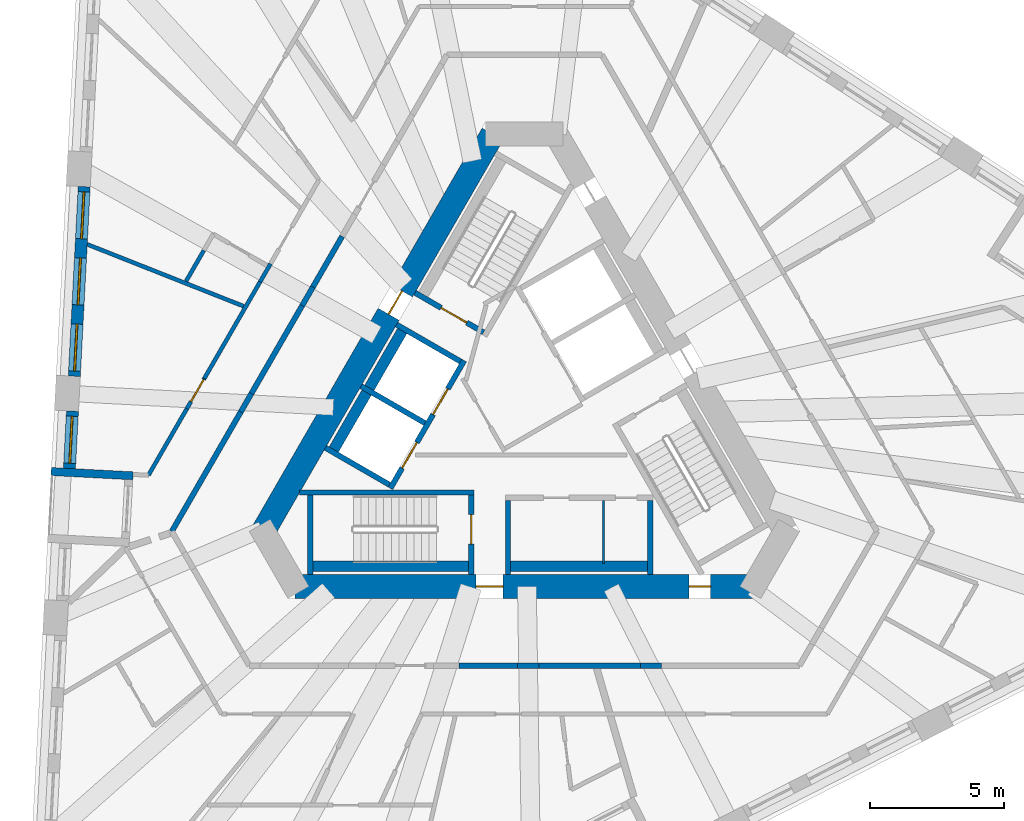
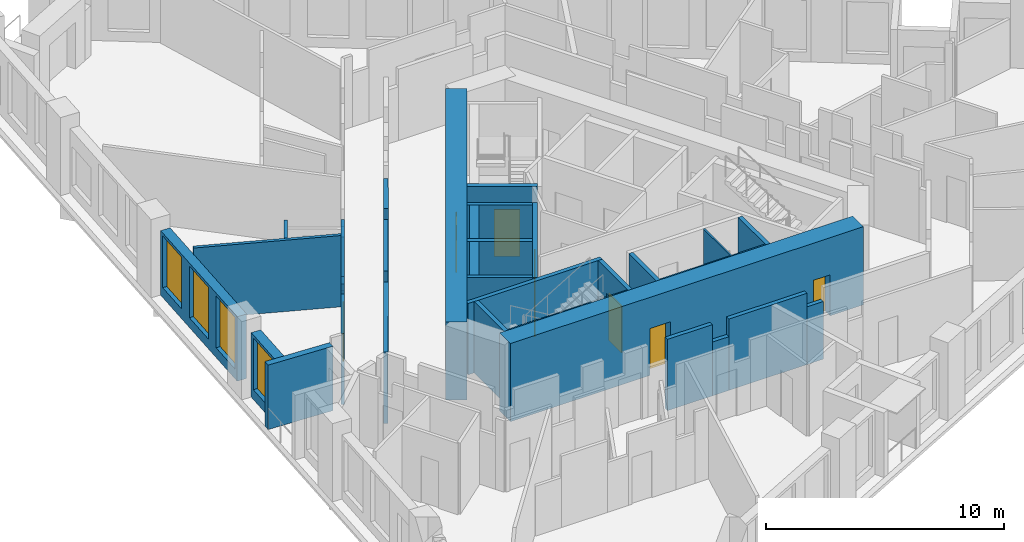
# One storey, part 4 of 13: 34 walls, 8 doors, 4 windows, 12 openings.
"""IFC4 building model written with IfcOpenShell, lengths in metres."""

from ifc_helpers import new_model, si_unit, direction, frame, frame_2d, origin, place, context, subcontext, project, spatial, polyline, rectangle, outline, extrude, material, layer, layer_set, type_object, element, fill, save


model = new_model("IFC4")

# Units and contexts
model_context = context("Model", 3, precision=1e-05, world=origin(), true_north=direction((0.0, 1.0)))
body_context = subcontext(model_context, "Body", "Model", "MODEL_VIEW")
ifc_project = project(units=[si_unit("LENGTHUNIT", "METRE"), si_unit("AREAUNIT", "SQUARE_METRE"), si_unit("VOLUMEUNIT", "CUBIC_METRE"), si_unit("PLANEANGLEUNIT", "RADIAN"), si_unit("MASSUNIT", "GRAM", prefix="KILO")], contexts=[model_context])

# Site, building, storey
site_placement = place(None, origin())
site = spatial("IfcSite", under=ifc_project, at=site_placement, CompositionType="ELEMENT")
building_placement = place(site_placement, origin())
building = spatial("IfcBuilding", under=site, at=building_placement, Name="Tramontana Tower", CompositionType="ELEMENT")
storey_placement = place(building_placement, frame((0.0, 0.0, 145.60009765625)))
storey = spatial("IfcBuildingStorey", under=building, at=storey_placement, Name="L33", CompositionType="ELEMENT", Elevation=145.60009765625)

# Wall, opening, door
ifc_material_1 = material(Name="Concrete 70 MPa", Category="concrete")
ifc_layer_1 = layer(ifc_material_1, 0.89990234375)
ifc_layer_set_1 = layer_set([ifc_layer_1], Name="Core wall 900 70 MPa")
wall_type_1 = type_object("IfcWallType", Name="Core wall 900 70 MPa", PredefinedType="SHEAR", material=ifc_layer_set_1)
wall_1_placement = place(storey_placement, frame((-1.18359375, 10.550048828125, 0.0), z_axis=(0.0, 0.0, 1.0), x_axis=(-0.500004814304, -0.866022624227, 0.0)))
wall_1 = element("IfcWall", 1, at=wall_1_placement, inside=storey, type_object=wall_type_1, Name="Core wall C1 L33", PredefinedType="SHEAR", context=body_context, shape_type="SweptSolid", body=[
    extrude(rectangle(XDim=17.089599609375, YDim=0.89990234375, at=frame_2d((8.544921875, 0.0))), origin(), (0.0, 0.0, 1.0), 4.0),
])
opening_1_placement = place(wall_1_placement, frame((6.749755859375, 0.0, 0.0)))
opening_1 = element("IfcOpeningElement", 2, at=opening_1_placement, cuts=wall_1, Name="Opening RG1", PredefinedType="OPENING", context=body_context, shape_type="SweptSolid", body=[
    extrude(rectangle(XDim=1.0, YDim=2.39990234375, at=frame_2d((0.5, 1.199951171875))), frame((0.0, 0.4599609375, 0.0), z_axis=(0.0, -1.0, 0.0), x_axis=(1.0, 0.0, 0.0)), (0.0, 0.0, 1.0), 0.919921875),
])
ifc_material_2 = material(Name="Painted steel", Category="steel")
door_type_1 = type_object("IfcDoorType", Name="RING DOOR 1000", OperationType="SINGLE_SWING_LEFT", PredefinedType="DOOR", material=ifc_material_2)
door_1_placement = place(opening_1_placement, origin())
door_1 = element("IfcDoor", 3, at=door_1_placement, inside=storey, type_object=door_type_1, Name="Door RG1", OperationType="SINGLE_SWING_RIGHT", OverallHeight=2.39990234375, OverallWidth=1.0, PredefinedType="DOOR", context=body_context, shape_type="SweptSolid", body=[
    extrude(rectangle(XDim=1.0, YDim=2.39990234375, at=frame_2d((0.5, 1.199951171875))), frame((0.0, 0.02490234375, 0.0), z_axis=(0.0, -1.0, 0.0), x_axis=(1.0, 0.0, 0.0)), (0.0, 0.0, 1.0), 0.050048828125),
])
fill(opening_1, door_1)

# Wall, openings, doors
wall_2_placement = place(storey_placement, frame((-8.544921875, -6.300048828125, 0.0), z_axis=(0.0, 0.0, 1.0), x_axis=(1.0, 0.0, 0.0)))
wall_2 = element("IfcWall", 4, at=wall_2_placement, inside=storey, type_object=wall_type_1, Name="Core wall C3 L33", PredefinedType="SHEAR", context=body_context, shape_type="SweptSolid", body=[
    extrude(rectangle(XDim=17.08984375, YDim=0.89990234375, at=frame_2d((8.544921875, 0.0))), origin(), (0.0, 0.0, 1.0), 4.0),
])
opening_2_placement = place(wall_2_placement, frame((6.749755859375, 0.0, 0.0)))
opening_2 = element("IfcOpeningElement", 5, at=opening_2_placement, cuts=wall_2, Name="Opening RG2", PredefinedType="OPENING", context=body_context, shape_type="SweptSolid", body=[
    extrude(rectangle(XDim=1.0, YDim=2.39990234375, at=frame_2d((0.5, 1.199951171875))), frame((0.0, 0.4599609375, 0.0), z_axis=(0.0, -1.0, 0.0), x_axis=(1.0, 0.0, 0.0)), (0.0, 0.0, 1.0), 0.919921875),
])
opening_3_placement = place(wall_2_placement, frame((14.678466796875, 0.0, 0.0)))
opening_3 = element("IfcOpeningElement", 6, at=opening_3_placement, cuts=wall_2, Name="Opening PD2", PredefinedType="OPENING", context=body_context, shape_type="SweptSolid", body=[
    extrude(rectangle(XDim=0.800048828125, YDim=2.10009765625, at=frame_2d((0.39990234375, 1.050048828125))), frame((0.0, 0.4599609375, 0.0), z_axis=(0.0, -1.0, 0.0), x_axis=(1.0, 0.0, 0.0)), (0.0, 0.0, 1.0), 0.919921875),
])
ifc_material_3 = material(Name="Painted steel", Category="steel")
door_type_2 = type_object("IfcDoorType", Name="CUPBOARD DOOR 800", OperationType="SINGLE_SWING_LEFT", PredefinedType="DOOR", material=ifc_material_3)
door_2_placement = place(opening_3_placement, origin())
door_2 = element("IfcDoor", 7, at=door_2_placement, inside=storey, type_object=door_type_2, Name="Door PD2", OperationType="SINGLE_SWING_LEFT", OverallHeight=2.10009765625, OverallWidth=0.800048828125, PredefinedType="DOOR", context=body_context, shape_type="SweptSolid", body=[
    extrude(rectangle(XDim=0.800048828125, YDim=2.10009765625, at=frame_2d((0.39990234375, 1.050048828125))), frame((0.0, 0.02490234375, 0.0), z_axis=(0.0, -1.0, 0.0), x_axis=(1.0, 0.0, 0.0)), (0.0, 0.0, 1.0), 0.050048828125),
])
fill(opening_3, door_2)
door_3_placement = place(opening_2_placement, origin())
door_3 = element("IfcDoor", 8, at=door_3_placement, inside=storey, type_object=door_type_1, Name="Door RG2", OperationType="SINGLE_SWING_LEFT", OverallHeight=2.39990234375, OverallWidth=1.0, PredefinedType="DOOR", context=body_context, shape_type="SweptSolid", body=[
    extrude(rectangle(XDim=1.0, YDim=2.39990234375, at=frame_2d((0.5, 1.199951171875))), frame((0.0, 0.02490234375, 0.0), z_axis=(0.0, -1.0, 0.0), x_axis=(1.0, 0.0, 0.0)), (0.0, 0.0, 1.0), 0.050048828125),
])
fill(opening_2, door_3)

# Walls
ifc_material_4 = material(Name="Blockwork", Category="masonry")
ifc_layer_2 = layer(ifc_material_4, 0.199951171875)
ifc_layer_set_2 = layer_set([ifc_layer_2], Name="ENTRY WALL 200")
wall_type_2 = type_object("IfcWallType", Name="ENTRY WALL 200", PredefinedType="SOLIDWALL", material=ifc_layer_set_2)
wall_3_placement = place(storey_placement, frame((5.10595703125, -9.25, 0.0), z_axis=(0.0, 0.0, 1.0), x_axis=(-1.0, 0.0, 0.0)))
element("IfcWall", 9, at=wall_3_placement, inside=storey, type_object=wall_type_2, Name="Wall v31-ew2-1", PredefinedType="SOLIDWALL", context=body_context, shape_type="SweptSolid", body=[
    extrude(rectangle(XDim=0.78564453125, YDim=0.199951171875, at=frame_2d((0.392822265625, 0.0))), origin(), (0.0, 0.0, 1.0), 2.949951171875),
])
wall_4_placement = place(storey_placement, frame((4.3203125, -9.25, 0.0), z_axis=(0.0, 0.0, 1.0), x_axis=(-1.0, 0.0, 0.0)))
element("IfcWall", 10, at=wall_4_placement, inside=storey, type_object=wall_type_2, Name="Wall v31-ew2-2", PredefinedType="SOLIDWALL", context=body_context, shape_type="SweptSolid", body=[
    extrude(rectangle(XDim=3.783203125, YDim=0.199951171875, at=frame_2d((1.8916015625, 0.0))), origin(), (0.0, 0.0, 1.0), 3.64990234375),
])
wall_5_placement = place(storey_placement, frame((0.537109375, -9.25, 0.0), z_axis=(0.0, 0.0, 1.0), x_axis=(-1.0, 0.0, 0.0)))
element("IfcWall", 11, at=wall_5_placement, inside=storey, type_object=wall_type_2, Name="Wall v31-ew2-3", PredefinedType="SOLIDWALL", context=body_context, shape_type="SweptSolid", body=[
    extrude(rectangle(XDim=0.800048828125, YDim=0.199951171875, at=frame_2d((0.39990234375, 0.0))), origin(), (0.0, 0.0, 1.0), 2.75),
])
wall_6_placement = place(storey_placement, frame((-0.262939453125, -9.25, 0.0), z_axis=(0.0, 0.0, 1.0), x_axis=(-1.0, 0.0, 0.0)))
element("IfcWall", 12, at=wall_6_placement, inside=storey, type_object=wall_type_2, Name="Wall v31-ew2-4", PredefinedType="SOLIDWALL", context=body_context, shape_type="SweptSolid", body=[
    extrude(rectangle(XDim=2.17822265625, YDim=0.199951171875, at=frame_2d((1.089111328125, 0.0))), origin(), (0.0, 0.0, 1.0), 3.64990234375),
])
wall_7_placement = place(storey_placement, frame((-13.134765625, -4.25, 0.0), z_axis=(0.0, 0.0, 1.0), x_axis=(0.50000466804, 0.866022708674, 0.0)))
element("IfcWall", 13, at=wall_7_placement, inside=storey, type_object=wall_type_2, Name="Wall v31-ew4-0", PredefinedType="SOLIDWALL", context=body_context, shape_type="SweptSolid", body=[
    extrude(rectangle(XDim=5.14208984375, YDim=0.199951171875, at=frame_2d((2.571044921875, 0.0))), origin(), (0.0, 0.0, 1.0), 3.64990234375),
])
wall_8_placement = place(storey_placement, frame((-10.563720703125, 0.203125, 0.0), z_axis=(0.0, 0.0, 1.0), x_axis=(0.499982474044, 0.866035522163, 0.0)))
element("IfcWall", 14, at=wall_8_placement, inside=storey, type_object=wall_type_2, Name="Wall v31-ew4-1", PredefinedType="SOLIDWALL", context=body_context, shape_type="SweptSolid", body=[
    extrude(rectangle(XDim=0.78564453125, YDim=0.199951171875, at=frame_2d((0.392822265625, 0.0))), origin(), (0.0, 0.0, 1.0), 2.949951171875),
])
wall_9_placement = place(storey_placement, frame((-10.1708984375, 0.883544921875, 0.0), z_axis=(0.0, 0.0, 1.0), x_axis=(0.499998034377, 0.866026538634, 0.0)))
element("IfcWall", 15, at=wall_9_placement, inside=storey, type_object=wall_type_2, Name="Wall v31-ew4-2", PredefinedType="SOLIDWALL", context=body_context, shape_type="SweptSolid", body=[
    extrude(rectangle(XDim=3.783203125, YDim=0.199951171875, at=frame_2d((1.8916015625, 0.0))), origin(), (0.0, 0.0, 1.0), 3.64990234375),
])
wall_10_placement = place(storey_placement, frame((-8.279296875, 4.159912109375, 0.0), z_axis=(0.0, 0.0, 1.0), x_axis=(0.500109828528, 0.865961984968, 0.0)))
element("IfcWall", 16, at=wall_10_placement, inside=storey, type_object=wall_type_2, Name="Wall v31-ew4-3", PredefinedType="SOLIDWALL", context=body_context, shape_type="SweptSolid", body=[
    extrude(rectangle(XDim=0.800048828125, YDim=0.199951171875, at=frame_2d((0.39990234375, 0.0))), origin(), (0.0, 0.0, 1.0), 2.75),
])
wall_11_placement = place(storey_placement, frame((-7.879150390625, 4.852783203125, 0.0), z_axis=(0.0, 0.0, 1.0), x_axis=(0.499948868167, 0.866054922749, 0.0)))
element("IfcWall", 17, at=wall_11_placement, inside=storey, type_object=wall_type_2, Name="Wall v31-ew4-4", PredefinedType="SOLIDWALL", context=body_context, shape_type="SweptSolid", body=[
    extrude(rectangle(XDim=2.177978515625, YDim=0.199951171875, at=frame_2d((1.0888671875, 0.0))), origin(), (0.0, 0.0, 1.0), 3.64990234375),
])

# Wall, openings, windows
ifc_material_5 = material(Name="Precast concrete 60 MPa", Category="concrete")
ifc_layer_3 = layer(ifc_material_5, 0.449951171875)
ifc_layer_set_3 = layer_set([ifc_layer_3], Name="Precast concrete 60 MPa, 450 mm")
wall_type_3 = type_object("IfcWallType", Name="EW1 Stone-faced precast wall 450", PredefinedType="SOLIDWALL", material=ifc_layer_set_3)
wall_12_placement = place(storey_placement, frame((-16.397705078125, 8.591552734375, 0.0), z_axis=(0.0, 0.0, 1.0), x_axis=(-0.052337766399, -0.998629439887, 0.0)))
wall_12 = element("IfcWall", 18, at=wall_12_placement, inside=storey, type_object=wall_type_3, Name="External wall L33 face 0 bay 3", PredefinedType="SOLIDWALL", context=body_context, shape_type="SweptSolid", body=[
    extrude(rectangle(XDim=7.07177734375, YDim=0.449951171875, at=frame_2d((3.535888671875, 0.0))), origin(), (0.0, 0.0, 1.0), 3.2998046875),
])
opening_4_placement = place(wall_12_placement, frame((0.1953125, 0.0, 0.5)))
opening_4 = element("IfcOpeningElement", 19, at=opening_4_placement, cuts=wall_12, Name="Opening M2", PredefinedType="OPENING", context=body_context, shape_type="SweptSolid", body=[
    extrude(rectangle(XDim=1.75, YDim=2.64990234375, at=frame_2d((0.875, 1.324951171875))), frame((0.0, 0.23486328125, 0.0), z_axis=(0.0, -1.0, 0.0), x_axis=(1.0, 0.0, 0.0)), (0.0, 0.0, 1.0), 0.469970703125),
])
opening_5_placement = place(wall_12_placement, frame((2.660888671875, 0.0, 0.5)))
opening_5 = element("IfcOpeningElement", 20, at=opening_5_placement, cuts=wall_12, Name="Opening M2", PredefinedType="OPENING", context=body_context, shape_type="SweptSolid", body=[
    extrude(rectangle(XDim=1.75, YDim=2.64990234375, at=frame_2d((0.875, 1.324951171875))), frame((0.0, 0.23486328125, 0.0), z_axis=(0.0, -1.0, 0.0), x_axis=(1.0, 0.0, 0.0)), (0.0, 0.0, 1.0), 0.469970703125),
])
opening_6_placement = place(wall_12_placement, frame((5.126220703125, 0.0, 0.5)))
opening_6 = element("IfcOpeningElement", 21, at=opening_6_placement, cuts=wall_12, Name="Opening M2", PredefinedType="OPENING", context=body_context, shape_type="SweptSolid", body=[
    extrude(rectangle(XDim=1.75, YDim=2.64990234375, at=frame_2d((0.875, 1.324951171875))), frame((0.0, 0.23486328125, 0.0), z_axis=(0.0, -1.0, 0.0), x_axis=(1.0, 0.0, 0.0)), (0.0, 0.0, 1.0), 0.469970703125),
])
ifc_material_6 = material(Name="Aluminum frame, double glazing unit", Category="aluminium")
window_type = type_object("IfcWindowType", Name="M2 Window 1.75 x 2.65", PartitioningType="SINGLE_PANEL", PredefinedType="WINDOW", material=ifc_material_6)
window_1_placement = place(opening_4_placement, origin())
window_1 = element("IfcWindow", 22, at=window_1_placement, inside=storey, type_object=window_type, Name="Window M2 L33 face 0 module 7", OverallHeight=2.64990234375, OverallWidth=1.75, PartitioningType="SINGLE_PANEL", PredefinedType="WINDOW", context=body_context, shape_type="SweptSolid", body=[
    extrude(rectangle(XDim=1.75, YDim=2.64990234375, at=frame_2d((0.875, 1.324951171875))), frame((0.0, 0.030029296875, 0.0), z_axis=(0.0, -1.0, 0.0), x_axis=(1.0, 0.0, 0.0)), (0.0, 0.0, 1.0), 0.06005859375),
])
fill(opening_4, window_1)
window_2_placement = place(opening_5_placement, origin())
window_2 = element("IfcWindow", 23, at=window_2_placement, inside=storey, type_object=window_type, Name="Window M2 L33 face 0 module 8", OverallHeight=2.64990234375, OverallWidth=1.75, PartitioningType="SINGLE_PANEL", PredefinedType="WINDOW", context=body_context, shape_type="SweptSolid", body=[
    extrude(rectangle(XDim=1.75, YDim=2.64990234375, at=frame_2d((0.875, 1.324951171875))), frame((0.0, 0.030029296875, 0.0), z_axis=(0.0, -1.0, 0.0), x_axis=(1.0, 0.0, 0.0)), (0.0, 0.0, 1.0), 0.06005859375),
])
fill(opening_5, window_2)
window_3_placement = place(opening_6_placement, origin())
window_3 = element("IfcWindow", 24, at=window_3_placement, inside=storey, type_object=window_type, Name="Window M2 L33 face 0 module 9", OverallHeight=2.64990234375, OverallWidth=1.75, PartitioningType="SINGLE_PANEL", PredefinedType="WINDOW", context=body_context, shape_type="SweptSolid", body=[
    extrude(rectangle(XDim=1.75, YDim=2.64990234375, at=frame_2d((0.875, 1.324951171875))), frame((0.0, 0.030029296875, 0.0), z_axis=(0.0, -1.0, 0.0), x_axis=(1.0, 0.0, 0.0)), (0.0, 0.0, 1.0), 0.06005859375),
])
fill(opening_6, window_3)

# Wall, opening, window
wall_13_placement = place(storey_placement, frame((-16.8359375, 0.2314453125, 0.0), z_axis=(0.0, 0.0, 1.0), x_axis=(-0.05234931875, -0.998628834366, 0.0)))
wall_13 = element("IfcWall", 25, at=wall_13_placement, inside=storey, type_object=wall_type_3, Name="External wall L33 face 0 bay 4", PredefinedType="SOLIDWALL", context=body_context, shape_type="SweptSolid", body=[
    extrude(rectangle(XDim=2.140625, YDim=0.449951171875, at=frame_2d((1.0703125, 0.0))), origin(), (0.0, 0.0, 1.0), 3.2998046875),
])
opening_7_placement = place(wall_13_placement, frame((0.1953125, 0.0, 0.5)))
opening_7 = element("IfcOpeningElement", 26, at=opening_7_placement, cuts=wall_13, Name="Opening M2", PredefinedType="OPENING", context=body_context, shape_type="SweptSolid", body=[
    extrude(rectangle(XDim=1.75, YDim=2.64990234375, at=frame_2d((0.875, 1.324951171875))), frame((0.0, 0.23486328125, 0.0), z_axis=(0.0, -1.0, 0.0), x_axis=(1.0, 0.0, 0.0)), (0.0, 0.0, 1.0), 0.469970703125),
])
window_4_placement = place(opening_7_placement, origin())
window_4 = element("IfcWindow", 27, at=window_4_placement, inside=storey, type_object=window_type, Name="Window M2 L33 face 0 module 10", OverallHeight=2.64990234375, OverallWidth=1.75, PartitioningType="SINGLE_PANEL", PredefinedType="WINDOW", context=body_context, shape_type="SweptSolid", body=[
    extrude(rectangle(XDim=1.75, YDim=2.64990234375, at=frame_2d((0.875, 1.324951171875))), frame((0.0, 0.030029296875, 0.0), z_axis=(0.0, -1.0, 0.0), x_axis=(1.0, 0.0, 0.0)), (0.0, 0.0, 1.0), 0.06005859375),
])
fill(opening_7, window_4)

# Walls
ifc_material_7 = material(Name="Precast concrete 60 MPa", Category="concrete")
ifc_layer_4 = layer(ifc_material_7, 0.300048828125)
ifc_layer_set_4 = layer_set([ifc_layer_4], Name="LW1 Stone-faced loggia wall 300")
wall_type_4 = type_object("IfcWallType", Name="LW1 Stone-faced loggia wall 300", PredefinedType="SOLIDWALL", material=ifc_layer_set_4)
wall_14_placement = place(storey_placement, frame((-17.6298828125, -2.0205078125, 0.0), z_axis=(0.0, 0.0, 1.0), x_axis=(0.99862886304, -0.052348771756, 0.0)))
element("IfcWall", 28, at=wall_14_placement, inside=storey, type_object=wall_type_4, Name="Loggia return L33 G3S0.10a", PredefinedType="SOLIDWALL", context=body_context, shape_type="SweptSolid", body=[
    extrude(rectangle(XDim=3.050048828125, YDim=0.300048828125, at=frame_2d((1.52490234375, 0.0))), origin(), (0.0, 0.0, 1.0), 3.2998046875),
])
ifc_material_8 = material(Name="Gypsum board partition")
ifc_layer_5 = layer(ifc_material_8, 0.14990234375)
ifc_layer_set_5 = layer_set([ifc_layer_5], Name="PARTITION 150")
wall_type_5 = type_object("IfcWallType", Name="PARTITION 150", PredefinedType="PARTITIONING", material=ifc_layer_set_5)
wall_15_placement = place(storey_placement, frame((-14.006103515625, -2.159423828125, 0.0), z_axis=(0.0, 0.0, 1.0), x_axis=(0.499943820161, 0.8660578368, 0.0)))
element("IfcWall", 29, at=wall_15_placement, inside=storey, type_object=wall_type_5, Name="Wall v31-pw04-0", PredefinedType="PARTITIONING", context=body_context, shape_type="SweptSolid", body=[
    extrude(rectangle(XDim=2.864013671875, YDim=0.14990234375, at=frame_2d((1.43212890625, 0.0))), origin(), (0.0, 0.0, 1.0), 3.64990234375),
])

# Wall, opening, door
wall_16_placement = place(storey_placement, frame((-12.57421875, 0.321044921875, 0.0), z_axis=(0.0, 0.0, 1.0), x_axis=(0.500133819797, 0.865948129102, 0.0)))
wall_16 = element("IfcWall", 30, at=wall_16_placement, inside=storey, type_object=wall_type_5, Name="Wall v31-pw04-1", PredefinedType="PARTITIONING", context=body_context, shape_type="SweptSolid", body=[
    extrude(outline(polyline([(0.0, 0.0), (1.301513671875, 0.0), (1.301513671875, 3.64990234375), (0.757568359375, 3.64990234375), (0.757568359375, 2.949951171875), (0.0, 2.949951171875), (0.0, 0.0)])), frame((0.0, 0.074951171875, 0.0), z_axis=(0.0, -1.0, 0.0), x_axis=(1.0, 0.0, 0.0)), (0.0, 0.0, 1.0), 0.14990234375),
])
opening_8_placement = place(wall_16_placement, frame((0.301513671875, 0.0, 0.0)))
opening_8 = element("IfcOpeningElement", 31, at=opening_8_placement, cuts=wall_16, Name="Opening B3B-06", PredefinedType="OPENING", context=body_context, shape_type="SweptSolid", body=[
    extrude(rectangle(XDim=0.949951171875, YDim=2.39990234375, at=frame_2d((0.47509765625, 1.199951171875))), frame((0.0, 0.0849609375, 0.0), z_axis=(0.0, -1.0, 0.0), x_axis=(1.0, 0.0, 0.0)), (0.0, 0.0, 1.0), 0.169921875),
])
ifc_material_9 = material(Name="Painted timber", Category="wood")
door_type_3 = type_object("IfcDoorType", Name="DOOR ROOM 950", OperationType="SINGLE_SWING_LEFT", PredefinedType="DOOR", material=ifc_material_9)
door_4_placement = place(opening_8_placement, origin())
door_4 = element("IfcDoor", 32, at=door_4_placement, inside=storey, type_object=door_type_3, Name="Door B3B-06", OperationType="SINGLE_SWING_RIGHT", OverallHeight=2.39990234375, OverallWidth=0.949951171875, PredefinedType="DOOR", context=body_context, shape_type="SweptSolid", body=[
    extrude(rectangle(XDim=0.949951171875, YDim=2.39990234375, at=frame_2d((0.47509765625, 1.199951171875))), frame((0.0, 0.02490234375, 0.0), z_axis=(0.0, -1.0, 0.0), x_axis=(1.0, 0.0, 0.0)), (0.0, 0.0, 1.0), 0.050048828125),
])
fill(opening_8, door_4)

# Walls
wall_17_placement = place(storey_placement, frame((-11.92333984375, 1.447998046875, 0.0), z_axis=(0.0, 0.0, 1.0), x_axis=(0.499980071345, 0.866036909293, 0.0)))
element("IfcWall", 33, at=wall_17_placement, inside=storey, type_object=wall_type_5, Name="Wall v31-pw04-2", PredefinedType="PARTITIONING", context=body_context, shape_type="SweptSolid", body=[
    extrude(rectangle(XDim=4.156494140625, YDim=0.14990234375, at=frame_2d((2.078125, 0.0))), origin(), (0.0, 0.0, 1.0), 3.64990234375),
])
wall_18_placement = place(storey_placement, frame((-9.84521484375, 5.047607421875, 0.0), z_axis=(0.0, 0.0, 1.0), x_axis=(0.499967891604, 0.866043940782, 0.0)))
element("IfcWall", 34, at=wall_18_placement, inside=storey, type_object=wall_type_5, Name="Wall v31-pw04-3", PredefinedType="PARTITIONING", context=body_context, shape_type="SweptSolid", body=[
    extrude(rectangle(XDim=0.77490234375, YDim=0.14990234375, at=frame_2d((0.387451171875, 0.0))), origin(), (0.0, 0.0, 1.0), 2.75),
])
wall_19_placement = place(storey_placement, frame((-12.605224609375, 5.067138671875, 0.0), z_axis=(0.0, 0.0, 1.0), x_axis=(0.500035527442, 0.866004891035, 0.0)))
element("IfcWall", 35, at=wall_19_placement, inside=storey, type_object=wall_type_5, Name="Wall v31-pw08-0", PredefinedType="PARTITIONING", context=body_context, shape_type="SweptSolid", body=[
    extrude(rectangle(XDim=1.32763671875, YDim=0.14990234375, at=frame_2d((0.663818359375, 0.0))), origin(), (0.0, 0.0, 1.0), 3.64990234375),
])
wall_20_placement = place(storey_placement, frame((-10.45751953125, 4.136962890625, 0.0), z_axis=(0.0, 0.0, 1.0), x_axis=(-0.929893797105, 0.36782812033, 0.0)))
element("IfcWall", 36, at=wall_20_placement, inside=storey, type_object=wall_type_5, Name="Wall v31-pw13", PredefinedType="PARTITIONING", context=body_context, shape_type="SweptSolid", body=[
    extrude(rectangle(XDim=6.26708984375, YDim=0.14990234375, at=frame_2d((3.133544921875, 0.0))), origin(), (0.0, 0.0, 1.0), 3.64990234375),
])
ifc_material_10 = material(Name="Gypsum board partition")
ifc_layer_6 = layer(ifc_material_10, 0.080078125)
ifc_layer_set_6 = layer_set([ifc_layer_6], Name="PARTITION 80")
wall_type_6 = type_object("IfcWallType", Name="PARTITION 80", PredefinedType="PARTITIONING", material=ifc_layer_set_6)
wall_21_placement = place(storey_placement, frame((2.93994140625, -3.10009765625, 0.0), z_axis=(0.0, 0.0, 1.0), x_axis=(0.0, -1.0, 0.0)))
element("IfcWall", 37, at=wall_21_placement, inside=storey, type_object=wall_type_6, Name="Wall row1-split", PredefinedType="PARTITIONING", context=body_context, shape_type="SweptSolid", body=[
    extrude(rectangle(XDim=2.349853515625, YDim=0.080078125, at=frame_2d((1.1748046875, 0.0))), origin(), (0.0, 0.0, 1.0), 3.64990234375),
])
ifc_material_11 = material(Name="Concrete 70 MPa", Category="concrete")
ifc_layer_7 = layer(ifc_material_11, 0.39990234375)
ifc_layer_set_7 = layer_set([ifc_layer_7], Name="Concrete 70 MPa, 400 mm")
wall_type_7 = type_object("IfcWallType", Name="RC SHAFT BACK WALL 400", PredefinedType="SOLIDWALL", material=ifc_layer_set_7)
wall_22_placement = place(storey_placement, frame((-8.080078125, -5.550048828125, 0.0), z_axis=(0.0, 0.0, 1.0), x_axis=(1.0, 0.0, 0.0)))
element("IfcWall", 38, at=wall_22_placement, inside=storey, type_object=wall_type_7, Name="Wall st2-back", PredefinedType="SOLIDWALL", context=body_context, shape_type="SweptSolid", body=[
    extrude(rectangle(XDim=6.2001953125, YDim=0.39990234375, at=frame_2d((3.10009765625, 0.0))), origin(), (0.0, 0.0, 1.0), 3.64990234375),
])
for number, where, z_axis, x_axis, name in (
    (39, (-4.451416015625, 3.389892578125, 0.0), (0.0, 0.0, 1.0), (-0.499996545922, -0.866027397988, 0.0), "Wall row0-back"),
    (40, (-0.7099609375, -5.550048828125, 0.0), (0.0, 0.0, 1.0), (1.0, 0.0, 0.0), "Wall row1-back"),
):
    element("IfcWall", number, at=place(storey_placement, frame(where, z_axis=z_axis, x_axis=x_axis)), inside=storey, type_object=wall_type_7, Name=name, PredefinedType="SOLIDWALL", context=body_context, shape_type="SweptSolid", body=[
        extrude(rectangle(XDim=5.5, YDim=0.39990234375, at=frame_2d((2.75, 0.0))), origin(), (0.0, 0.0, 1.0), 3.64990234375),
    ])

# Wall, opening, door
ifc_material_12 = material(Name="Concrete 70 MPa", Category="concrete")
ifc_layer_8 = layer(ifc_material_12, 0.199951171875)
ifc_layer_set_8 = layer_set([ifc_layer_8], Name="Concrete 70 MPa, 200 mm")
wall_type_8 = type_object("IfcWallType", Name="RC STAIR AND SHAFT WALL 200", PredefinedType="SOLIDWALL", material=ifc_layer_set_8)
wall_23_placement = place(storey_placement, frame((-1.521484375, 3.164794921875, 0.0), z_axis=(0.0, 0.0, 1.0), x_axis=(-0.866039495442, 0.49997559174, 0.0)))
wall_23 = element("IfcWall", 41, at=wall_23_placement, inside=storey, type_object=wall_type_8, Name="Wall st1-near", PredefinedType="SOLIDWALL", context=body_context, shape_type="SweptSolid", body=[
    extrude(rectangle(XDim=2.949951171875, YDim=0.199951171875, at=frame_2d((1.47509765625, 0.0))), origin(), (0.0, 0.0, 1.0), 3.64990234375),
])
opening_9_placement = place(wall_23_placement, frame((0.72509765625, 0.0, 0.0)))
opening_9 = element("IfcOpeningElement", 42, at=opening_9_placement, cuts=wall_23, Name="Opening SD1", PredefinedType="OPENING", context=body_context, shape_type="SweptSolid", body=[
    extrude(rectangle(XDim=1.10009765625, YDim=2.39990234375, at=frame_2d((0.550048828125, 1.199951171875))), frame((0.0, 0.10986328125, 0.0), z_axis=(0.0, -1.0, 0.0), x_axis=(1.0, 0.0, 0.0)), (0.0, 0.0, 1.0), 0.219970703125),
])
ifc_material_13 = material(Name="Painted steel", Category="steel")
door_type_4 = type_object("IfcDoorType", Name="STAIR DOOR 1100", OperationType="SINGLE_SWING_LEFT", PredefinedType="DOOR", material=ifc_material_13)
door_5_placement = place(opening_9_placement, origin())
door_5 = element("IfcDoor", 43, at=door_5_placement, inside=storey, type_object=door_type_4, Name="Door SD1", OperationType="SINGLE_SWING_RIGHT", OverallHeight=2.39990234375, OverallWidth=1.10009765625, PredefinedType="DOOR", context=body_context, shape_type="SweptSolid", body=[
    extrude(rectangle(XDim=1.10009765625, YDim=2.39990234375, at=frame_2d((0.550048828125, 1.199951171875))), frame((0.0, 0.02490234375, 0.0), z_axis=(0.0, -1.0, 0.0), x_axis=(1.0, 0.0, 0.0)), (0.0, 0.0, 1.0), 0.050048828125),
])
fill(opening_9, door_5)

# Walls
wall_24_placement = place(storey_placement, frame((-8.37158203125, -2.800048828125, 0.0), z_axis=(0.0, 0.0, 1.0), x_axis=(1.0, 0.0, 0.0)))
element("IfcWall", 44, at=wall_24_placement, inside=storey, type_object=wall_type_8, Name="Wall st2-front", PredefinedType="SOLIDWALL", context=body_context, shape_type="SweptSolid", body=[
    extrude(rectangle(XDim=6.49169921875, YDim=0.199951171875, at=frame_2d((3.245849609375, 0.0))), origin(), (0.0, 0.0, 1.0), 3.64990234375),
])
wall_25_placement = place(storey_placement, frame((-7.97998046875, -2.89990234375, 0.0), z_axis=(0.0, 0.0, 1.0), x_axis=(0.0, -1.0, 0.0)))
element("IfcWall", 45, at=wall_25_placement, inside=storey, type_object=wall_type_8, Name="Wall st2-far", PredefinedType="SOLIDWALL", context=body_context, shape_type="SweptSolid", body=[
    extrude(rectangle(XDim=2.9501953125, YDim=0.199951171875, at=frame_2d((1.47509765625, 0.0))), origin(), (0.0, 0.0, 1.0), 3.64990234375),
])

# Wall, opening, door
wall_26_placement = place(storey_placement, frame((-1.97998046875, -2.89990234375, 0.0), z_axis=(0.0, 0.0, 1.0), x_axis=(0.0, -1.0, 0.0)))
wall_26 = element("IfcWall", 46, at=wall_26_placement, inside=storey, type_object=wall_type_8, Name="Wall st2-near", PredefinedType="SOLIDWALL", context=body_context, shape_type="SweptSolid", body=[
    extrude(rectangle(XDim=2.9501953125, YDim=0.199951171875, at=frame_2d((1.47509765625, 0.0))), origin(), (0.0, 0.0, 1.0), 3.64990234375),
])
opening_10_placement = place(wall_26_placement, frame((0.72509765625, 0.0, 0.0)))
opening_10 = element("IfcOpeningElement", 47, at=opening_10_placement, cuts=wall_26, Name="Opening SD2", PredefinedType="OPENING", context=body_context, shape_type="SweptSolid", body=[
    extrude(rectangle(XDim=1.10009765625, YDim=2.39990234375, at=frame_2d((0.550048828125, 1.199951171875))), frame((0.0, 0.10986328125, 0.0), z_axis=(0.0, -1.0, 0.0), x_axis=(1.0, 0.0, 0.0)), (0.0, 0.0, 1.0), 0.219970703125),
])
door_6_placement = place(opening_10_placement, origin())
door_6 = element("IfcDoor", 48, at=door_6_placement, inside=storey, type_object=door_type_4, Name="Door SD2", OperationType="SINGLE_SWING_LEFT", OverallHeight=2.39990234375, OverallWidth=1.10009765625, PredefinedType="DOOR", context=body_context, shape_type="SweptSolid", body=[
    extrude(rectangle(XDim=1.10009765625, YDim=2.39990234375, at=frame_2d((0.550048828125, 1.199951171875))), frame((0.0, 0.02490234375, 0.0), z_axis=(0.0, -1.0, 0.0), x_axis=(1.0, 0.0, 0.0)), (0.0, 0.0, 1.0), 0.050048828125),
])
fill(opening_10, door_6)

# Wall, openings, doors
wall_27_placement = place(storey_placement, frame((-2.2431640625, 2.114990234375, 0.0), z_axis=(0.0, 0.0, 1.0), x_axis=(-0.499996545922, -0.866027397988, 0.0)))
wall_27 = element("IfcWall", 49, at=wall_27_placement, inside=storey, type_object=wall_type_8, Name="Wall row0-front", PredefinedType="SOLIDWALL", context=body_context, shape_type="SweptSolid", body=[
    extrude(rectangle(XDim=5.5, YDim=0.199951171875, at=frame_2d((2.75, 0.0))), origin(), (0.0, 0.0, 1.0), 3.64990234375),
])
opening_11_placement = place(wall_27_placement, frame((1.219970703125, 0.0, 0.0)))
opening_11 = element("IfcOpeningElement", 50, at=opening_11_placement, cuts=wall_27, Name="Opening LD-P1", PredefinedType="OPENING", context=body_context, shape_type="SweptSolid", body=[
    extrude(rectangle(XDim=1.10009765625, YDim=2.10009765625, at=frame_2d((0.550048828125, 1.050048828125))), frame((0.0, 0.10986328125, 0.0), z_axis=(0.0, -1.0, 0.0), x_axis=(1.0, 0.0, 0.0)), (0.0, 0.0, 1.0), 0.219970703125),
])
opening_12_placement = place(wall_27_placement, frame((3.52490234375, 0.0, 0.0)))
opening_12 = element("IfcOpeningElement", 51, at=opening_12_placement, cuts=wall_27, Name="Opening LD-P2", PredefinedType="OPENING", context=body_context, shape_type="SweptSolid", body=[
    extrude(rectangle(XDim=1.10009765625, YDim=2.10009765625, at=frame_2d((0.550048828125, 1.050048828125))), frame((0.0, 0.10986328125, 0.0), z_axis=(0.0, -1.0, 0.0), x_axis=(1.0, 0.0, 0.0)), (0.0, 0.0, 1.0), 0.219970703125),
])
ifc_material_14 = material(Name="Brushed steel", Category="steel")
door_type_5 = type_object("IfcDoorType", Name="LANDING DOOR 1100", OperationType="SINGLE_SWING_LEFT", PredefinedType="DOOR", material=ifc_material_14)
door_7_placement = place(opening_11_placement, origin())
door_7 = element("IfcDoor", 52, at=door_7_placement, inside=storey, type_object=door_type_5, Name="Door LD-P1", OperationType="SLIDING_TO_LEFT", OverallHeight=2.10009765625, OverallWidth=1.10009765625, PredefinedType="DOOR", context=body_context, shape_type="SweptSolid", body=[
    extrude(rectangle(XDim=1.10009765625, YDim=2.10009765625, at=frame_2d((0.550048828125, 1.050048828125))), frame((0.0, 0.02490234375, 0.0), z_axis=(0.0, -1.0, 0.0), x_axis=(1.0, 0.0, 0.0)), (0.0, 0.0, 1.0), 0.050048828125),
])
fill(opening_11, door_7)
door_8_placement = place(opening_12_placement, origin())
door_8 = element("IfcDoor", 53, at=door_8_placement, inside=storey, type_object=door_type_5, Name="Door LD-P2", OperationType="SLIDING_TO_RIGHT", OverallHeight=2.10009765625, OverallWidth=1.10009765625, PredefinedType="DOOR", context=body_context, shape_type="SweptSolid", body=[
    extrude(rectangle(XDim=1.10009765625, YDim=2.10009765625, at=frame_2d((0.550048828125, 1.050048828125))), frame((0.0, 0.02490234375, 0.0), z_axis=(0.0, -1.0, 0.0), x_axis=(1.0, 0.0, 0.0)), (0.0, 0.0, 1.0), 0.050048828125),
])
fill(opening_12, door_8)

# Walls
for number, where, z_axis, x_axis, name in (
    (54, (-2.379638671875, 2.078369140625, 0.0), (0.0, 0.0, 1.0), (-0.866027397988, 0.499996545922, 0.0), "Wall row0-side0"),
    (55, (-3.70458984375, -0.216796875, 0.0), (0.0, 0.0, 1.0), (-0.866027397988, 0.499996545922, 0.0), "Wall row0-side1"),
):
    element("IfcWall", number, at=place(storey_placement, frame(where, z_axis=z_axis, x_axis=x_axis)), inside=storey, type_object=wall_type_8, Name=name, PredefinedType="SOLIDWALL", context=body_context, shape_type="SweptSolid", body=[
        extrude(rectangle(XDim=2.75, YDim=0.199951171875, at=frame_2d((1.375, 0.0))), origin(), (0.0, 0.0, 1.0), 3.64990234375),
    ])
wall_28_placement = place(storey_placement, frame((-5.02978515625, -2.51171875, 0.0), z_axis=(0.0, 0.0, 1.0), x_axis=(-0.866005201286, 0.500034990121, 0.0)))
element("IfcWall", 56, at=wall_28_placement, inside=storey, type_object=wall_type_8, Name="Wall row0-side2", PredefinedType="SOLIDWALL", context=body_context, shape_type="SweptSolid", body=[
    extrude(rectangle(XDim=2.749755859375, YDim=0.199951171875, at=frame_2d((1.375, 0.0))), origin(), (0.0, 0.0, 1.0), 3.64990234375),
])
for number, where, z_axis, x_axis, name in (
    (57, (-0.610107421875, -3.10009765625, 0.0), (0.0, 0.0, 1.0), (0.0, -1.0, 0.0), "Wall row1-side0"),
    (58, (4.68994140625, -3.10009765625, 0.0), (0.0, 0.0, 1.0), (0.0, -1.0, 0.0), "Wall row1-side2"),
):
    element("IfcWall", number, at=place(storey_placement, frame(where, z_axis=z_axis, x_axis=x_axis)), inside=storey, type_object=wall_type_8, Name=name, PredefinedType="SOLIDWALL", context=body_context, shape_type="SweptSolid", body=[
        extrude(rectangle(XDim=2.75, YDim=0.199951171875, at=frame_2d((1.375, 0.0))), origin(), (0.0, 0.0, 1.0), 3.64990234375),
    ])

save(model, "model.ifc")
